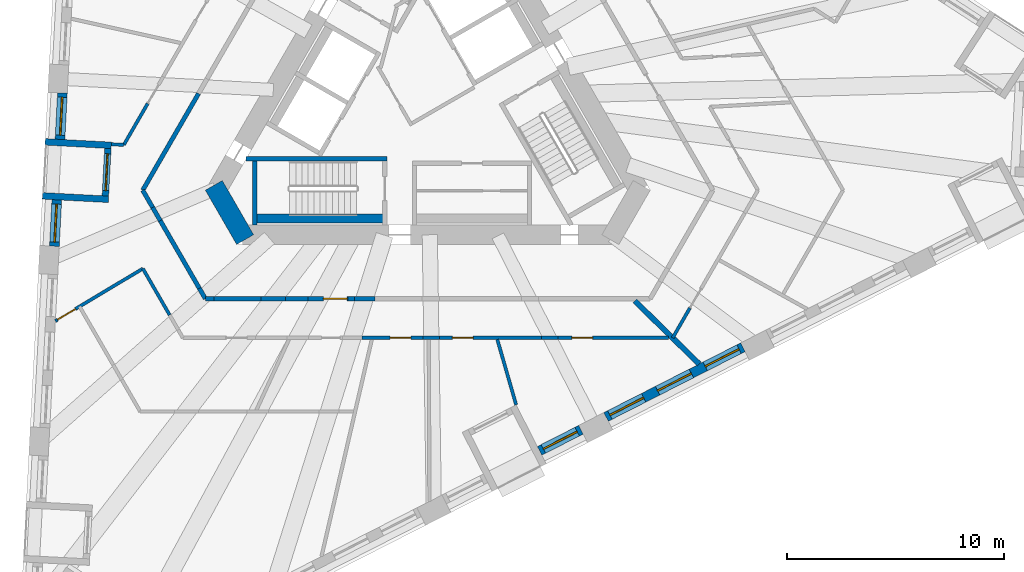
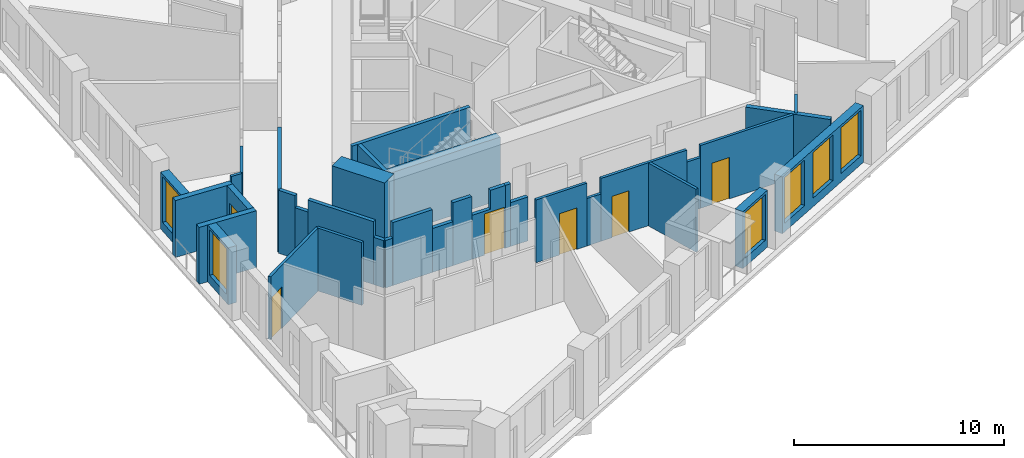
# One storey, part 3 of 13: 35 walls, 6 doors, 6 windows, 12 openings.
"""IFC4 building model written with IfcOpenShell, lengths in metres."""

from ifc_helpers import new_model, si_unit, direction, frame, frame_2d, origin, place, context, subcontext, project, spatial, polyline, rectangle, outline, extrude, material, layer, layer_set, type_object, element, fill, save


model = new_model("IFC4")

# Units and contexts
model_context = context("Model", 3, precision=1e-05, world=origin(), true_north=direction((0.0, 1.0)))
body_context = subcontext(model_context, "Body", "Model", "MODEL_VIEW")
ifc_project = project(units=[si_unit("LENGTHUNIT", "METRE"), si_unit("AREAUNIT", "SQUARE_METRE"), si_unit("VOLUMEUNIT", "CUBIC_METRE"), si_unit("PLANEANGLEUNIT", "RADIAN"), si_unit("MASSUNIT", "GRAM", prefix="KILO")], contexts=[model_context])

# Site, building, storey
site_placement = place(None, origin())
site = spatial("IfcSite", under=ifc_project, at=site_placement, CompositionType="ELEMENT")
building_placement = place(site_placement, origin())
building = spatial("IfcBuilding", under=site, at=building_placement, Name="Tramontana Tower", CompositionType="ELEMENT")
storey_placement = place(building_placement, frame((0.0, 0.0, 153.60009765625)))
storey = spatial("IfcBuildingStorey", under=building, at=storey_placement, Name="L35", CompositionType="ELEMENT", Elevation=153.60009765625)

# Walls
ifc_material_1 = material(Name="Concrete 70 MPa", Category="concrete")
ifc_layer_1 = layer(ifc_material_1, 0.89990234375)
ifc_layer_set_1 = layer_set([ifc_layer_1], Name="Core wall 900 70 MPa")
wall_type_1 = type_object("IfcWallType", Name="Core wall 900 70 MPa", PredefinedType="SHEAR", material=ifc_layer_set_1)
wall_1_placement = place(storey_placement, frame((-9.8583984375, -4.02490234375, 0.0), z_axis=(0.0, 0.0, 1.0), x_axis=(0.500059191753, -0.865991226713, 0.0)))
element("IfcWall", 1, at=wall_1_placement, inside=storey, type_object=wall_type_1, Name="Core wall C2 L35", PredefinedType="SHEAR", context=body_context, shape_type="SweptSolid", body=[
    extrude(rectangle(XDim=2.886962890625, YDim=0.89990234375, at=frame_2d((1.443359375, 0.0))), origin(), (0.0, 0.0, 1.0), 4.0),
])
ifc_material_2 = material(Name="Blockwork", Category="masonry")
ifc_layer_2 = layer(ifc_material_2, 0.199951171875)
ifc_layer_set_2 = layer_set([ifc_layer_2], Name="ENTRY WALL 200")
wall_type_2 = type_object("IfcWallType", Name="ENTRY WALL 200", PredefinedType="SOLIDWALL", material=ifc_layer_set_2)
wall_2_placement = place(storey_placement, frame((-2.441162109375, -9.25, 0.0), z_axis=(0.0, 0.0, 1.0), x_axis=(-1.0, 0.0, 0.0)))
element("IfcWall", 2, at=wall_2_placement, inside=storey, type_object=wall_type_2, Name="Wall v32-ew2-5", PredefinedType="SOLIDWALL", context=body_context, shape_type="SweptSolid", body=[
    extrude(rectangle(XDim=0.943603515625, YDim=0.199951171875, at=frame_2d((0.4716796875, 0.0))), origin(), (0.0, 0.0, 1.0), 2.5498046875),
])
wall_3_placement = place(storey_placement, frame((-3.384765625, -9.25, 0.0), z_axis=(0.0, 0.0, 1.0), x_axis=(-1.0, 0.0, 0.0)))
element("IfcWall", 3, at=wall_3_placement, inside=storey, type_object=wall_type_2, Name="Wall v32-ew2-6", PredefinedType="SOLIDWALL", context=body_context, shape_type="SweptSolid", body=[
    extrude(rectangle(XDim=0.280517578125, YDim=0.199951171875, at=frame_2d((0.14013671875, 0.0))), origin(), (0.0, 0.0, 1.0), 3.64990234375),
])

# Wall, opening, door
wall_4_placement = place(storey_placement, frame((-5.522216796875, -9.25, 0.0), z_axis=(0.0, 0.0, 1.0), x_axis=(1.0, 0.0, 0.0)))
wall_4 = element("IfcWall", 4, at=wall_4_placement, inside=storey, type_object=wall_type_2, Name="Wall v32-ew2-7", PredefinedType="SOLIDWALL", context=body_context, shape_type="SweptSolid", body=[
    extrude(outline(polyline([(0.0, 0.0), (1.85693359375, 0.0), (1.85693359375, 3.64990234375), (1.0234375, 3.64990234375), (1.0234375, 2.5498046875), (0.0, 2.5498046875), (0.0, 0.0)])), frame((0.0, 0.10009765625, 0.0), z_axis=(0.0, -1.0, 0.0), x_axis=(1.0, 0.0, 0.0)), (0.0, 0.0, 1.0), 0.199951171875),
])
opening_1_placement = place(wall_4_placement, frame((0.706787109375, 0.0, 0.0)))
opening_1 = element("IfcOpeningElement", 5, at=opening_1_placement, cuts=wall_4, Name="Opening B3C-22", PredefinedType="OPENING", context=body_context, shape_type="SweptSolid", body=[
    extrude(rectangle(XDim=1.10009765625, YDim=2.39990234375, at=frame_2d((0.550048828125, 1.199951171875))), frame((0.0, 0.10986328125, 0.0), z_axis=(0.0, -1.0, 0.0), x_axis=(1.0, 0.0, 0.0)), (0.0, 0.0, 1.0), 0.219970703125),
])
ifc_material_3 = material(Name="Painted timber", Category="wood")
door_type_1 = type_object("IfcDoorType", Name="DOOR ENTRY 1100", OperationType="SINGLE_SWING_LEFT", PredefinedType="DOOR", material=ifc_material_3)
door_1_placement = place(opening_1_placement, origin())
door_1 = element("IfcDoor", 6, at=door_1_placement, inside=storey, type_object=door_type_1, Name="Door B3C-22", OperationType="SINGLE_SWING_RIGHT", OverallHeight=2.39990234375, OverallWidth=1.10009765625, PredefinedType="DOOR", context=body_context, shape_type="SweptSolid", body=[
    extrude(rectangle(XDim=1.10009765625, YDim=2.39990234375, at=frame_2d((0.550048828125, 1.199951171875))), frame((0.0, 0.02490234375, 0.0), z_axis=(0.0, -1.0, 0.0), x_axis=(1.0, 0.0, 0.0)), (0.0, 0.0, 1.0), 0.050048828125),
])
fill(opening_1, door_1)

# Walls
wall_5_placement = place(storey_placement, frame((-5.522216796875, -9.25, 0.0), z_axis=(0.0, 0.0, 1.0), x_axis=(-1.0, 0.0, 0.0)))
element("IfcWall", 7, at=wall_5_placement, inside=storey, type_object=wall_type_2, Name="Wall v32-ew2-8", PredefinedType="SOLIDWALL", context=body_context, shape_type="SweptSolid", body=[
    extrude(rectangle(XDim=1.0224609375, YDim=0.199951171875, at=frame_2d((0.51123046875, 0.0))), origin(), (0.0, 0.0, 1.0), 3.64990234375),
])
wall_6_placement = place(storey_placement, frame((-6.544677734375, -9.25, 0.0), z_axis=(0.0, 0.0, 1.0), x_axis=(-1.0, 0.0, 0.0)))
element("IfcWall", 8, at=wall_6_placement, inside=storey, type_object=wall_type_2, Name="Wall v32-ew2-9", PredefinedType="SOLIDWALL", context=body_context, shape_type="SweptSolid", body=[
    extrude(rectangle(XDim=1.13525390625, YDim=0.199951171875, at=frame_2d((0.567626953125, 0.0))), origin(), (0.0, 0.0, 1.0), 2.5498046875),
])
wall_7_placement = place(storey_placement, frame((-7.679931640625, -9.25, 0.0), z_axis=(0.0, 0.0, 1.0), x_axis=(-1.0, 0.0, 0.0)))
element("IfcWall", 9, at=wall_7_placement, inside=storey, type_object=wall_type_2, Name="Wall v32-ew2-10", PredefinedType="SOLIDWALL", context=body_context, shape_type="SweptSolid", body=[
    extrude(rectangle(XDim=2.1787109375, YDim=0.199951171875, at=frame_2d((1.08935546875, 0.0))), origin(), (0.0, 0.0, 1.0), 3.64990234375),
])
wall_8_placement = place(storey_placement, frame((-9.858642578125, -9.25, 0.0), z_axis=(0.0, 0.0, 1.0), x_axis=(-1.0, 0.0, 0.0)))
element("IfcWall", 10, at=wall_8_placement, inside=storey, type_object=wall_type_2, Name="Wall v32-ew2-11", PredefinedType="SOLIDWALL", context=body_context, shape_type="SweptSolid", body=[
    extrude(rectangle(XDim=0.389404296875, YDim=0.199951171875, at=frame_2d((0.19482421875, 0.0))), origin(), (0.0, 0.0, 1.0), 2.75),
])
wall_9_placement = place(storey_placement, frame((-10.248046875, -9.25, 0.0), z_axis=(0.0, 0.0, 1.0), x_axis=(-0.499887958344, 0.866090081402, 0.0)))
element("IfcWall", 11, at=wall_9_placement, inside=storey, type_object=wall_type_2, Name="Wall v32-ew3-0", PredefinedType="SOLIDWALL", context=body_context, shape_type="SweptSolid", body=[
    extrude(rectangle(XDim=0.553466796875, YDim=0.199951171875, at=frame_2d((0.27685546875, 0.0))), origin(), (0.0, 0.0, 1.0), 2.75),
])
wall_10_placement = place(storey_placement, frame((-10.524658203125, -8.770751953125, 0.0), z_axis=(0.0, 0.0, 1.0), x_axis=(-0.500031425827, 0.866007259314, 0.0)))
element("IfcWall", 12, at=wall_10_placement, inside=storey, type_object=wall_type_2, Name="Wall v32-ew3-1", PredefinedType="SOLIDWALL", context=body_context, shape_type="SweptSolid", body=[
    extrude(rectangle(XDim=3.602294921875, YDim=0.199951171875, at=frame_2d((1.80126953125, 0.0))), origin(), (0.0, 0.0, 1.0), 3.64990234375),
])
wall_11_placement = place(storey_placement, frame((-12.325927734375, -5.651123046875, 0.0), z_axis=(0.0, 0.0, 1.0), x_axis=(-0.499752435038, 0.86616828831, 0.0)))
element("IfcWall", 13, at=wall_11_placement, inside=storey, type_object=wall_type_2, Name="Wall v32-ew3-2", PredefinedType="SOLIDWALL", context=body_context, shape_type="SweptSolid", body=[
    extrude(rectangle(XDim=0.704833984375, YDim=0.199951171875, at=frame_2d((0.3525390625, 0.0))), origin(), (0.0, 0.0, 1.0), 2.949951171875),
])
wall_12_placement = place(storey_placement, frame((-12.67822265625, -5.04052734375, 0.0), z_axis=(0.0, 0.0, 1.0), x_axis=(-0.500108273885, 0.865962882802, 0.0)))
element("IfcWall", 14, at=wall_12_placement, inside=storey, type_object=wall_type_2, Name="Wall v32-ew3-3", PredefinedType="SOLIDWALL", context=body_context, shape_type="SweptSolid", body=[
    extrude(rectangle(XDim=0.912841796875, YDim=0.199951171875, at=frame_2d((0.45654296875, 0.0))), origin(), (0.0, 0.0, 1.0), 3.64990234375),
])
wall_13_placement = place(storey_placement, frame((-13.134765625, -4.25, 0.0), z_axis=(0.0, 0.0, 1.0), x_axis=(0.50000466804, 0.866022708674, 0.0)))
element("IfcWall", 15, at=wall_13_placement, inside=storey, type_object=wall_type_2, Name="Wall v32-ew4-0", PredefinedType="SOLIDWALL", context=body_context, shape_type="SweptSolid", body=[
    extrude(rectangle(XDim=5.14208984375, YDim=0.199951171875, at=frame_2d((2.571044921875, 0.0))), origin(), (0.0, 0.0, 1.0), 3.64990234375),
])

# Wall, opening, window
ifc_material_4 = material(Name="Precast concrete 60 MPa", Category="concrete")
ifc_layer_3 = layer(ifc_material_4, 0.449951171875)
ifc_layer_set_3 = layer_set([ifc_layer_3], Name="Precast concrete 60 MPa, 450 mm")
wall_type_3 = type_object("IfcWallType", Name="EW1 Stone-faced precast wall 450", PredefinedType="SOLIDWALL", material=ifc_layer_set_3)
wall_14_placement = place(storey_placement, frame((-16.8359375, 0.2314453125, 0.0), z_axis=(0.0, 0.0, 1.0), x_axis=(-0.05234931875, -0.998628834366, 0.0)))
wall_14 = element("IfcWall", 16, at=wall_14_placement, inside=storey, type_object=wall_type_3, Name="External wall L35 face 0 bay 4", PredefinedType="SOLIDWALL", context=body_context, shape_type="SweptSolid", body=[
    extrude(rectangle(XDim=2.140625, YDim=0.449951171875, at=frame_2d((1.0703125, 0.0))), origin(), (0.0, 0.0, 1.0), 3.2998046875),
])
opening_2_placement = place(wall_14_placement, frame((0.1953125, 0.0, 0.5)))
opening_2 = element("IfcOpeningElement", 17, at=opening_2_placement, cuts=wall_14, Name="Opening M2", PredefinedType="OPENING", context=body_context, shape_type="SweptSolid", body=[
    extrude(rectangle(XDim=1.75, YDim=2.64990234375, at=frame_2d((0.875, 1.324951171875))), frame((0.0, 0.23486328125, 0.0), z_axis=(0.0, -1.0, 0.0), x_axis=(1.0, 0.0, 0.0)), (0.0, 0.0, 1.0), 0.469970703125),
])
ifc_material_5 = material(Name="Aluminum frame, double glazing unit", Category="aluminium")
window_type = type_object("IfcWindowType", Name="M2 Window 1.75 x 2.65", PartitioningType="SINGLE_PANEL", PredefinedType="WINDOW", material=ifc_material_5)
window_1_placement = place(opening_2_placement, origin())
window_1 = element("IfcWindow", 18, at=window_1_placement, inside=storey, type_object=window_type, Name="Window M2 L35 face 0 module 10", OverallHeight=2.64990234375, OverallWidth=1.75, PartitioningType="SINGLE_PANEL", PredefinedType="WINDOW", context=body_context, shape_type="SweptSolid", body=[
    extrude(rectangle(XDim=1.75, YDim=2.64990234375, at=frame_2d((0.875, 1.324951171875))), frame((0.0, 0.030029296875, 0.0), z_axis=(0.0, -1.0, 0.0), x_axis=(1.0, 0.0, 0.0)), (0.0, 0.0, 1.0), 0.06005859375),
])
fill(opening_2, window_1)

wall_15_placement = place(storey_placement, frame((-17.093994140625, -4.69287109375, 0.0), z_axis=(0.0, 0.0, 1.0), x_axis=(-0.052355281723, -0.998628521762, 0.0)))
wall_15 = element("IfcWall", 19, at=wall_15_placement, inside=storey, type_object=wall_type_3, Name="External wall L35 face 0 bay 4", PredefinedType="SOLIDWALL", context=body_context, shape_type="SweptSolid", body=[
    extrude(rectangle(XDim=2.140380859375, YDim=0.449951171875, at=frame_2d((1.0703125, 0.0))), origin(), (0.0, 0.0, 1.0), 3.2998046875),
])
opening_3_placement = place(wall_15_placement, frame((0.1953125, 0.0, 0.5)))
opening_3 = element("IfcOpeningElement", 20, at=opening_3_placement, cuts=wall_15, Name="Opening M2", PredefinedType="OPENING", context=body_context, shape_type="SweptSolid", body=[
    extrude(rectangle(XDim=1.75, YDim=2.64990234375, at=frame_2d((0.875, 1.324951171875))), frame((0.0, 0.23486328125, 0.0), z_axis=(0.0, -1.0, 0.0), x_axis=(1.0, 0.0, 0.0)), (0.0, 0.0, 1.0), 0.469970703125),
])
window_2_placement = place(opening_3_placement, origin())
window_2 = element("IfcWindow", 21, at=window_2_placement, inside=storey, type_object=window_type, Name="Window M2 L35 face 0 module 12", OverallHeight=2.64990234375, OverallWidth=1.75, PartitioningType="SINGLE_PANEL", PredefinedType="WINDOW", context=body_context, shape_type="SweptSolid", body=[
    extrude(rectangle(XDim=1.75, YDim=2.64990234375, at=frame_2d((0.875, 1.324951171875))), frame((0.0, 0.030029296875, 0.0), z_axis=(0.0, -1.0, 0.0), x_axis=(1.0, 0.0, 0.0)), (0.0, 0.0, 1.0), 0.06005859375),
])
fill(opening_3, window_2)

wall_16_placement = place(storey_placement, frame((5.152099609375, -16.258056640625, 0.0), z_axis=(0.0, 0.0, 1.0), x_axis=(0.891025569559, 0.453953119156, 0.0)))
wall_16 = element("IfcWall", 22, at=wall_16_placement, inside=storey, type_object=wall_type_3, Name="External wall L35 face 1 bay 3", PredefinedType="SOLIDWALL", context=body_context, shape_type="SweptSolid", body=[
    extrude(rectangle(XDim=2.140380859375, YDim=0.449951171875, at=frame_2d((1.0703125, 0.0))), origin(), (0.0, 0.0, 1.0), 3.2998046875),
])
opening_4_placement = place(wall_16_placement, frame((0.1953125, 0.0, 0.5)))
opening_4 = element("IfcOpeningElement", 23, at=opening_4_placement, cuts=wall_16, Name="Opening M2", PredefinedType="OPENING", context=body_context, shape_type="SweptSolid", body=[
    extrude(rectangle(XDim=1.75, YDim=2.64990234375, at=frame_2d((0.875, 1.324951171875))), frame((0.0, 0.23486328125, 0.0), z_axis=(0.0, -1.0, 0.0), x_axis=(1.0, 0.0, 0.0)), (0.0, 0.0, 1.0), 0.469970703125),
])
window_3_placement = place(opening_4_placement, origin())
window_3 = element("IfcWindow", 24, at=window_3_placement, inside=storey, type_object=window_type, Name="Window M2 L35 face 1 module 9", OverallHeight=2.64990234375, OverallWidth=1.75, PartitioningType="SINGLE_PANEL", PredefinedType="WINDOW", context=body_context, shape_type="SweptSolid", body=[
    extrude(rectangle(XDim=1.75, YDim=2.64990234375, at=frame_2d((0.875, 1.324951171875))), frame((0.0, 0.030029296875, 0.0), z_axis=(0.0, -1.0, 0.0), x_axis=(1.0, 0.0, 0.0)), (0.0, 0.0, 1.0), 0.06005859375),
])
fill(opening_4, window_3)

# Wall, openings, windows
wall_17_placement = place(storey_placement, frame((8.217529296875, -14.696044921875, 0.0), z_axis=(0.0, 0.0, 1.0), x_axis=(0.891004189171, 0.45399508244, 0.0)))
wall_17 = element("IfcWall", 25, at=wall_17_placement, inside=storey, type_object=wall_type_3, Name="External wall L35 face 1 bay 4", PredefinedType="SOLIDWALL", context=body_context, shape_type="SweptSolid", body=[
    extrude(rectangle(XDim=7.071533203125, YDim=0.449951171875, at=frame_2d((3.53564453125, 0.0))), origin(), (0.0, 0.0, 1.0), 3.2998046875),
])
opening_5_placement = place(wall_17_placement, frame((0.1953125, 0.0, 0.5)))
opening_5 = element("IfcOpeningElement", 26, at=opening_5_placement, cuts=wall_17, Name="Opening M2", PredefinedType="OPENING", context=body_context, shape_type="SweptSolid", body=[
    extrude(rectangle(XDim=1.75, YDim=2.64990234375, at=frame_2d((0.875, 1.324951171875))), frame((0.0, 0.23486328125, 0.0), z_axis=(0.0, -1.0, 0.0), x_axis=(1.0, 0.0, 0.0)), (0.0, 0.0, 1.0), 0.469970703125),
])
opening_6_placement = place(wall_17_placement, frame((2.660888671875, 0.0, 0.5)))
opening_6 = element("IfcOpeningElement", 27, at=opening_6_placement, cuts=wall_17, Name="Opening M2", PredefinedType="OPENING", context=body_context, shape_type="SweptSolid", body=[
    extrude(rectangle(XDim=1.75, YDim=2.64990234375, at=frame_2d((0.875, 1.324951171875))), frame((0.0, 0.23486328125, 0.0), z_axis=(0.0, -1.0, 0.0), x_axis=(1.0, 0.0, 0.0)), (0.0, 0.0, 1.0), 0.469970703125),
])
opening_7_placement = place(wall_17_placement, frame((5.126220703125, 0.0, 0.5)))
opening_7 = element("IfcOpeningElement", 28, at=opening_7_placement, cuts=wall_17, Name="Opening M2", PredefinedType="OPENING", context=body_context, shape_type="SweptSolid", body=[
    extrude(rectangle(XDim=1.75, YDim=2.64990234375, at=frame_2d((0.875, 1.324951171875))), frame((0.0, 0.23486328125, 0.0), z_axis=(0.0, -1.0, 0.0), x_axis=(1.0, 0.0, 0.0)), (0.0, 0.0, 1.0), 0.469970703125),
])
window_4_placement = place(opening_5_placement, origin())
window_4 = element("IfcWindow", 29, at=window_4_placement, inside=storey, type_object=window_type, Name="Window M2 L35 face 1 module 10", OverallHeight=2.64990234375, OverallWidth=1.75, PartitioningType="SINGLE_PANEL", PredefinedType="WINDOW", context=body_context, shape_type="SweptSolid", body=[
    extrude(rectangle(XDim=1.75, YDim=2.64990234375, at=frame_2d((0.875, 1.324951171875))), frame((0.0, 0.030029296875, 0.0), z_axis=(0.0, -1.0, 0.0), x_axis=(1.0, 0.0, 0.0)), (0.0, 0.0, 1.0), 0.06005859375),
])
fill(opening_5, window_4)
window_5_placement = place(opening_6_placement, origin())
window_5 = element("IfcWindow", 30, at=window_5_placement, inside=storey, type_object=window_type, Name="Window M2 L35 face 1 module 11", OverallHeight=2.64990234375, OverallWidth=1.75, PartitioningType="SINGLE_PANEL", PredefinedType="WINDOW", context=body_context, shape_type="SweptSolid", body=[
    extrude(rectangle(XDim=1.75, YDim=2.64990234375, at=frame_2d((0.875, 1.324951171875))), frame((0.0, 0.030029296875, 0.0), z_axis=(0.0, -1.0, 0.0), x_axis=(1.0, 0.0, 0.0)), (0.0, 0.0, 1.0), 0.06005859375),
])
fill(opening_6, window_5)
window_6_placement = place(opening_7_placement, origin())
window_6 = element("IfcWindow", 31, at=window_6_placement, inside=storey, type_object=window_type, Name="Window M2 L35 face 1 module 12", OverallHeight=2.64990234375, OverallWidth=1.75, PartitioningType="SINGLE_PANEL", PredefinedType="WINDOW", context=body_context, shape_type="SweptSolid", body=[
    extrude(rectangle(XDim=1.75, YDim=2.64990234375, at=frame_2d((0.875, 1.324951171875))), frame((0.0, 0.030029296875, 0.0), z_axis=(0.0, -1.0, 0.0), x_axis=(1.0, 0.0, 0.0)), (0.0, 0.0, 1.0), 0.06005859375),
])
fill(opening_7, window_6)

# Wall, opening, door
ifc_material_6 = material(Name="Precast concrete 60 MPa", Category="concrete")
ifc_layer_4 = layer(ifc_material_6, 0.300048828125)
ifc_layer_set_4 = layer_set([ifc_layer_4], Name="LW1 Stone-faced loggia wall 300")
wall_type_4 = type_object("IfcWallType", Name="LW1 Stone-faced loggia wall 300", PredefinedType="SOLIDWALL", material=ifc_layer_set_4)
wall_18_placement = place(storey_placement, frame((-14.74169921875, -2.322265625, 0.0), z_axis=(0.0, 0.0, 1.0), x_axis=(-0.052383338583, -0.998627050424, 0.0)))
wall_18 = element("IfcWall", 32, at=wall_18_placement, inside=storey, type_object=wall_type_4, Name="Loggia wall L35 G3S0.10", PredefinedType="SOLIDWALL", context=body_context, shape_type="SweptSolid", body=[
    extrude(rectangle(XDim=2.1904296875, YDim=0.300048828125, at=frame_2d((1.09521484375, 0.0))), origin(), (0.0, 0.0, 1.0), 3.2998046875),
])
opening_8_placement = place(wall_18_placement, frame((0.245361328125, 0.0, 0.0)))
opening_8 = element("IfcOpeningElement", 33, at=opening_8_placement, cuts=wall_18, Name="Opening BD-3S0-10", PredefinedType="OPENING", context=body_context, shape_type="SweptSolid", body=[
    extrude(rectangle(XDim=1.699951171875, YDim=2.449951171875, at=frame_2d((0.85009765625, 1.22509765625))), frame((0.0, 0.159912109375, 0.0), z_axis=(0.0, -1.0, 0.0), x_axis=(1.0, 0.0, 0.0)), (0.0, 0.0, 1.0), 0.320068359375),
])
ifc_material_7 = material(Name="Aluminum frame, double glazing unit", Category="aluminium")
door_type_2 = type_object("IfcDoorType", Name="BD2 Sliding door 1.7 x 2.45", OperationType="SLIDING_TO_LEFT", PredefinedType="DOOR", material=ifc_material_7)
door_2_placement = place(opening_8_placement, origin())
door_2 = element("IfcDoor", 34, at=door_2_placement, inside=storey, type_object=door_type_2, Name="Loggia door L35 G3S0.10", OperationType="SLIDING_TO_LEFT", OverallHeight=2.449951171875, OverallWidth=1.699951171875, PredefinedType="DOOR", context=body_context, shape_type="SweptSolid", body=[
    extrude(rectangle(XDim=1.699951171875, YDim=2.449951171875, at=frame_2d((0.85009765625, 1.22509765625))), frame((0.0, 0.02490234375, 0.0), z_axis=(0.0, -1.0, 0.0), x_axis=(1.0, 0.0, 0.0)), (0.0, 0.0, 1.0), 0.050048828125),
])
fill(opening_8, door_2)

# Walls
for number, where, z_axis, x_axis, name in (
    (35, (-17.6298828125, -2.0205078125, 0.0), (0.0, 0.0, 1.0), (0.99862886304, -0.052348771756, 0.0), "Loggia return L35 G3S0.10a"),
    (36, (-17.76025390625, -4.5078125, 0.0), (0.0, 0.0, 1.0), (0.998633044326, -0.052268946613, 0.0), "Loggia return L35 G3S0.10b"),
):
    element("IfcWall", number, at=place(storey_placement, frame(where, z_axis=z_axis, x_axis=x_axis)), inside=storey, type_object=wall_type_4, Name=name, PredefinedType="SOLIDWALL", context=body_context, shape_type="SweptSolid", body=[
        extrude(rectangle(XDim=3.050048828125, YDim=0.300048828125, at=frame_2d((1.52490234375, 0.0))), origin(), (0.0, 0.0, 1.0), 3.2998046875),
    ])
ifc_material_8 = material(Name="Gypsum board partition")
ifc_layer_5 = layer(ifc_material_8, 0.14990234375)
ifc_layer_set_5 = layer_set([ifc_layer_5], Name="PARTITION 150")
wall_type_5 = type_object("IfcWallType", Name="PARTITION 150", PredefinedType="PARTITIONING", material=ifc_layer_set_5)
wall_19_placement = place(storey_placement, frame((-14.58154296875, -2.13037109375, 0.0), z_axis=(0.0, 0.0, 1.0), x_axis=(0.998631886163, -0.05229106939, 0.0)))
element("IfcWall", 37, at=wall_19_placement, inside=storey, type_object=wall_type_5, Name="Wall v32-pw01", PredefinedType="PARTITIONING", context=body_context, shape_type="SweptSolid", body=[
    extrude(rectangle(XDim=0.57421875, YDim=0.14990234375, at=frame_2d((0.287109375, 0.0))), origin(), (0.0, 0.0, 1.0), 3.64990234375),
])
wall_20_placement = place(storey_placement, frame((-14.006103515625, -2.159423828125, 0.0), z_axis=(0.0, 0.0, 1.0), x_axis=(0.499966313909, 0.866044851585, 0.0)))
element("IfcWall", 38, at=wall_20_placement, inside=storey, type_object=wall_type_5, Name="Wall v32-pw02-0", PredefinedType="PARTITIONING", context=body_context, shape_type="SweptSolid", body=[
    extrude(rectangle(XDim=2.195556640625, YDim=0.14990234375, at=frame_2d((1.09765625, 0.0))), origin(), (0.0, 0.0, 1.0), 3.64990234375),
])

# Wall, opening, door
wall_21_placement = place(storey_placement, frame((-13.13134765625, -7.862060546875, 0.0), z_axis=(0.0, 0.0, 1.0), x_axis=(-0.857896231035, -0.513822981947, 0.0)))
wall_21 = element("IfcWall", 39, at=wall_21_placement, inside=storey, type_object=wall_type_5, Name="Wall v32-pw04", PredefinedType="PARTITIONING", context=body_context, shape_type="SweptSolid", body=[
    extrude(rectangle(XDim=4.697265625, YDim=0.14990234375, at=frame_2d((2.3486328125, 0.0))), origin(), (0.0, 0.0, 1.0), 3.64990234375),
])
opening_9_placement = place(wall_21_placement, frame((3.6201171875, 0.0, 0.0)))
opening_9 = element("IfcOpeningElement", 40, at=opening_9_placement, cuts=wall_21, Name="Opening B3C-09", PredefinedType="OPENING", context=body_context, shape_type="SweptSolid", body=[
    extrude(rectangle(XDim=0.949951171875, YDim=2.39990234375, at=frame_2d((0.47509765625, 1.199951171875))), frame((0.0, 0.0849609375, 0.0), z_axis=(0.0, -1.0, 0.0), x_axis=(1.0, 0.0, 0.0)), (0.0, 0.0, 1.0), 0.169921875),
])
ifc_material_9 = material(Name="Painted timber", Category="wood")
door_type_3 = type_object("IfcDoorType", Name="DOOR ROOM 950", OperationType="SINGLE_SWING_LEFT", PredefinedType="DOOR", material=ifc_material_9)
door_3_placement = place(opening_9_placement, origin())
door_3 = element("IfcDoor", 41, at=door_3_placement, inside=storey, type_object=door_type_3, Name="Door B3C-09", OperationType="SINGLE_SWING_LEFT", OverallHeight=2.39990234375, OverallWidth=0.949951171875, PredefinedType="DOOR", context=body_context, shape_type="SweptSolid", body=[
    extrude(rectangle(XDim=0.949951171875, YDim=2.39990234375, at=frame_2d((0.47509765625, 1.199951171875))), frame((0.0, 0.02490234375, 0.0), z_axis=(0.0, -1.0, 0.0), x_axis=(1.0, 0.0, 0.0)), (0.0, 0.0, 1.0), 0.050048828125),
])
fill(opening_9, door_3)

# Walls
wall_22_placement = place(storey_placement, frame((-11.894287109375, -9.99853515625, 0.0), z_axis=(0.0, 0.0, 1.0), x_axis=(-0.499993851206, 0.866028953763, 0.0)))
element("IfcWall", 42, at=wall_22_placement, inside=storey, type_object=wall_type_5, Name="Wall v32-pw05-2", PredefinedType="PARTITIONING", context=body_context, shape_type="SweptSolid", body=[
    extrude(rectangle(XDim=2.4658203125, YDim=0.14990234375, at=frame_2d((1.23291015625, 0.0))), origin(), (0.0, 0.0, 1.0), 3.64990234375),
])
wall_23_placement = place(storey_placement, frame((3.204833984375, -11.125, 0.0), z_axis=(0.0, 0.0, 1.0), x_axis=(0.276764397052, -0.960937806793, 0.0)))
element("IfcWall", 43, at=wall_23_placement, inside=storey, type_object=wall_type_5, Name="Wall v32-pw19", PredefinedType="PARTITIONING", context=body_context, shape_type="SweptSolid", body=[
    extrude(rectangle(XDim=3.139404296875, YDim=0.14990234375, at=frame_2d((1.56982421875, 0.0))), origin(), (0.0, 0.0, 1.0), 3.64990234375),
])

# Wall, opening, door
wall_24_placement = place(storey_placement, frame((11.0986328125, -11.050048828125, 0.0), z_axis=(0.0, 0.0, 1.0), x_axis=(-1.0, 0.0, 0.0)))
wall_24 = element("IfcWall", 44, at=wall_24_placement, inside=storey, type_object=wall_type_5, Name="Wall v32-pw25-0", PredefinedType="PARTITIONING", context=body_context, shape_type="SweptSolid", body=[
    extrude(rectangle(XDim=5.089599609375, YDim=0.14990234375, at=frame_2d((2.544921875, 0.0))), origin(), (0.0, 0.0, 1.0), 3.64990234375),
])
opening_10_placement = place(wall_24_placement, frame((3.504150390625, 0.0, 0.0)))
opening_10 = element("IfcOpeningElement", 45, at=opening_10_placement, cuts=wall_24, Name="Opening B3C-14", PredefinedType="OPENING", context=body_context, shape_type="SweptSolid", body=[
    extrude(rectangle(XDim=0.949951171875, YDim=2.39990234375, at=frame_2d((0.47509765625, 1.199951171875))), frame((0.0, 0.0849609375, 0.0), z_axis=(0.0, -1.0, 0.0), x_axis=(1.0, 0.0, 0.0)), (0.0, 0.0, 1.0), 0.169921875),
])
door_4_placement = place(opening_10_placement, origin())
door_4 = element("IfcDoor", 46, at=door_4_placement, inside=storey, type_object=door_type_3, Name="Door B3C-14", OperationType="SINGLE_SWING_RIGHT", OverallHeight=2.39990234375, OverallWidth=0.949951171875, PredefinedType="DOOR", context=body_context, shape_type="SweptSolid", body=[
    extrude(rectangle(XDim=0.949951171875, YDim=2.39990234375, at=frame_2d((0.47509765625, 1.199951171875))), frame((0.0, 0.02490234375, 0.0), z_axis=(0.0, -1.0, 0.0), x_axis=(1.0, 0.0, 0.0)), (0.0, 0.0, 1.0), 0.050048828125),
])
fill(opening_10, door_4)

# Wall
wall_25_placement = place(storey_placement, frame((6.009033203125, -11.050048828125, 0.0), z_axis=(0.0, 0.0, 1.0), x_axis=(-1.0, 0.0, 0.0)))
element("IfcWall", 47, at=wall_25_placement, inside=storey, type_object=wall_type_5, Name="Wall v32-pw25-1", PredefinedType="PARTITIONING", context=body_context, shape_type="SweptSolid", body=[
    extrude(rectangle(XDim=0.757568359375, YDim=0.14990234375, at=frame_2d((0.37890625, 0.0))), origin(), (0.0, 0.0, 1.0), 2.949951171875),
])

# Wall, opening, door
wall_26_placement = place(storey_placement, frame((5.25146484375, -11.050048828125, 0.0), z_axis=(0.0, 0.0, 1.0), x_axis=(-1.0, 0.0, 0.0)))
wall_26 = element("IfcWall", 48, at=wall_26_placement, inside=storey, type_object=wall_type_5, Name="Wall v32-pw25-2", PredefinedType="PARTITIONING", context=body_context, shape_type="SweptSolid", body=[
    extrude(rectangle(XDim=4.7001953125, YDim=0.14990234375, at=frame_2d((2.35009765625, 0.0))), origin(), (0.0, 0.0, 1.0), 3.64990234375),
])
opening_11_placement = place(wall_26_placement, frame((3.161865234375, 0.0, 0.0)))
opening_11 = element("IfcOpeningElement", 49, at=opening_11_placement, cuts=wall_26, Name="Opening B3C-13", PredefinedType="OPENING", context=body_context, shape_type="SweptSolid", body=[
    extrude(rectangle(XDim=0.949951171875, YDim=2.39990234375, at=frame_2d((0.47509765625, 1.199951171875))), frame((0.0, 0.0849609375, 0.0), z_axis=(0.0, -1.0, 0.0), x_axis=(1.0, 0.0, 0.0)), (0.0, 0.0, 1.0), 0.169921875),
])
door_5_placement = place(opening_11_placement, origin())
door_5 = element("IfcDoor", 50, at=door_5_placement, inside=storey, type_object=door_type_3, Name="Door B3C-13", OperationType="SINGLE_SWING_LEFT", OverallHeight=2.39990234375, OverallWidth=0.949951171875, PredefinedType="DOOR", context=body_context, shape_type="SweptSolid", body=[
    extrude(rectangle(XDim=0.949951171875, YDim=2.39990234375, at=frame_2d((0.47509765625, 1.199951171875))), frame((0.0, 0.02490234375, 0.0), z_axis=(0.0, -1.0, 0.0), x_axis=(1.0, 0.0, 0.0)), (0.0, 0.0, 1.0), 0.050048828125),
])
fill(opening_11, door_5)

# Wall
wall_27_placement = place(storey_placement, frame((0.55126953125, -11.050048828125, 0.0), z_axis=(0.0, 0.0, 1.0), x_axis=(-1.0, 0.0, 0.0)))
element("IfcWall", 51, at=wall_27_placement, inside=storey, type_object=wall_type_5, Name="Wall v32-pw25-3", PredefinedType="PARTITIONING", context=body_context, shape_type="SweptSolid", body=[
    extrude(rectangle(XDim=0.775146484375, YDim=0.14990234375, at=frame_2d((0.3876953125, 0.0))), origin(), (0.0, 0.0, 1.0), 2.75),
])

# Wall, opening, door
wall_28_placement = place(storey_placement, frame((-0.223876953125, -11.050048828125, 0.0), z_axis=(0.0, 0.0, 1.0), x_axis=(-1.0, 0.0, 0.0)))
wall_28 = element("IfcWall", 52, at=wall_28_placement, inside=storey, type_object=wall_type_5, Name="Wall v32-pw25-4", PredefinedType="PARTITIONING", context=body_context, shape_type="SweptSolid", body=[
    extrude(rectangle(XDim=2.797119140625, YDim=0.14990234375, at=frame_2d((1.3984375, 0.0))), origin(), (0.0, 0.0, 1.0), 3.64990234375),
])
opening_12_placement = place(wall_28_placement, frame((0.55859375, 0.0, 0.0)))
opening_12 = element("IfcOpeningElement", 53, at=opening_12_placement, cuts=wall_28, Name="Opening B3C-12", PredefinedType="OPENING", context=body_context, shape_type="SweptSolid", body=[
    extrude(rectangle(XDim=0.949951171875, YDim=2.39990234375, at=frame_2d((0.47509765625, 1.199951171875))), frame((0.0, 0.0849609375, 0.0), z_axis=(0.0, -1.0, 0.0), x_axis=(1.0, 0.0, 0.0)), (0.0, 0.0, 1.0), 0.169921875),
])
door_6_placement = place(opening_12_placement, origin())
door_6 = element("IfcDoor", 54, at=door_6_placement, inside=storey, type_object=door_type_3, Name="Door B3C-12", OperationType="SINGLE_SWING_RIGHT", OverallHeight=2.39990234375, OverallWidth=0.949951171875, PredefinedType="DOOR", context=body_context, shape_type="SweptSolid", body=[
    extrude(rectangle(XDim=0.949951171875, YDim=2.39990234375, at=frame_2d((0.47509765625, 1.199951171875))), frame((0.0, 0.02490234375, 0.0), z_axis=(0.0, -1.0, 0.0), x_axis=(1.0, 0.0, 0.0)), (0.0, 0.0, 1.0), 0.050048828125),
])
fill(opening_12, door_6)

# Walls
wall_29_placement = place(storey_placement, frame((12.078125, -9.679931640625, 0.0), z_axis=(0.0, 0.0, 1.0), x_axis=(-0.499989616998, -0.866031398331, 0.0)))
element("IfcWall", 55, at=wall_29_placement, inside=storey, type_object=wall_type_5, Name="Wall v32-pw31-4", PredefinedType="PARTITIONING", context=body_context, shape_type="SweptSolid", body=[
    extrude(rectangle(XDim=1.58203125, YDim=0.14990234375, at=frame_2d((0.791015625, 0.0))), origin(), (0.0, 0.0, 1.0), 3.64990234375),
])
ifc_material_10 = material(Name="Blockwork", Category="masonry")
ifc_layer_6 = layer(ifc_material_10, 0.25)
ifc_layer_set_6 = layer_set([ifc_layer_6], Name="PARTY WALL 250")
wall_type_6 = type_object("IfcWallType", Name="PARTY WALL 250", PredefinedType="SOLIDWALL", material=ifc_layer_set_6)
wall_30_placement = place(storey_placement, frame((9.542236328125, -9.35009765625, 0.0), z_axis=(0.0, 0.0, 1.0), x_axis=(0.714270427425, -0.699869813969, 0.0)))
element("IfcWall", 56, at=wall_30_placement, inside=storey, type_object=wall_type_6, Name="Wall v32-pw22", PredefinedType="SOLIDWALL", context=body_context, shape_type="SweptSolid", body=[
    extrude(rectangle(XDim=4.153564453125, YDim=0.25, at=frame_2d((2.07666015625, 0.0))), origin(), (0.0, 0.0, 1.0), 3.64990234375),
])
ifc_material_11 = material(Name="Concrete 70 MPa", Category="concrete")
ifc_layer_7 = layer(ifc_material_11, 0.39990234375)
ifc_layer_set_7 = layer_set([ifc_layer_7], Name="Concrete 70 MPa, 400 mm")
wall_type_7 = type_object("IfcWallType", Name="RC SHAFT BACK WALL 400", PredefinedType="SOLIDWALL", material=ifc_layer_set_7)
wall_31_placement = place(storey_placement, frame((-8.080078125, -5.550048828125, 0.0), z_axis=(0.0, 0.0, 1.0), x_axis=(1.0, 0.0, 0.0)))
element("IfcWall", 57, at=wall_31_placement, inside=storey, type_object=wall_type_7, Name="Wall st2-back", PredefinedType="SOLIDWALL", context=body_context, shape_type="SweptSolid", body=[
    extrude(rectangle(XDim=6.2001953125, YDim=0.39990234375, at=frame_2d((3.10009765625, 0.0))), origin(), (0.0, 0.0, 1.0), 3.64990234375),
])
ifc_material_12 = material(Name="Concrete 70 MPa", Category="concrete")
ifc_layer_8 = layer(ifc_material_12, 0.199951171875)
ifc_layer_set_8 = layer_set([ifc_layer_8], Name="Concrete 70 MPa, 200 mm")
wall_type_8 = type_object("IfcWallType", Name="RC STAIR AND SHAFT WALL 200", PredefinedType="SOLIDWALL", material=ifc_layer_set_8)
wall_32_placement = place(storey_placement, frame((-8.37158203125, -2.800048828125, 0.0), z_axis=(0.0, 0.0, 1.0), x_axis=(1.0, 0.0, 0.0)))
element("IfcWall", 58, at=wall_32_placement, inside=storey, type_object=wall_type_8, Name="Wall st2-front", PredefinedType="SOLIDWALL", context=body_context, shape_type="SweptSolid", body=[
    extrude(rectangle(XDim=6.49169921875, YDim=0.199951171875, at=frame_2d((3.245849609375, 0.0))), origin(), (0.0, 0.0, 1.0), 3.64990234375),
])
wall_33_placement = place(storey_placement, frame((-7.97998046875, -2.89990234375, 0.0), z_axis=(0.0, 0.0, 1.0), x_axis=(0.0, -1.0, 0.0)))
element("IfcWall", 59, at=wall_33_placement, inside=storey, type_object=wall_type_8, Name="Wall st2-far", PredefinedType="SOLIDWALL", context=body_context, shape_type="SweptSolid", body=[
    extrude(rectangle(XDim=2.9501953125, YDim=0.199951171875, at=frame_2d((1.47509765625, 0.0))), origin(), (0.0, 0.0, 1.0), 3.64990234375),
])

save(model, "model.ifc")
